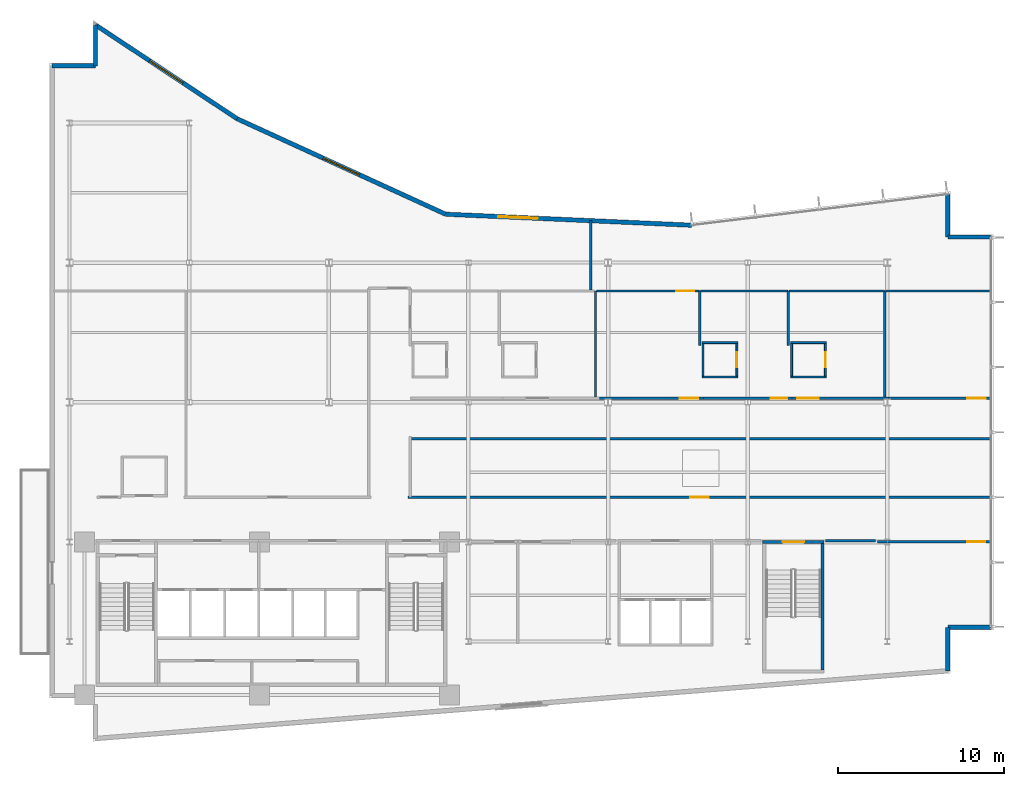
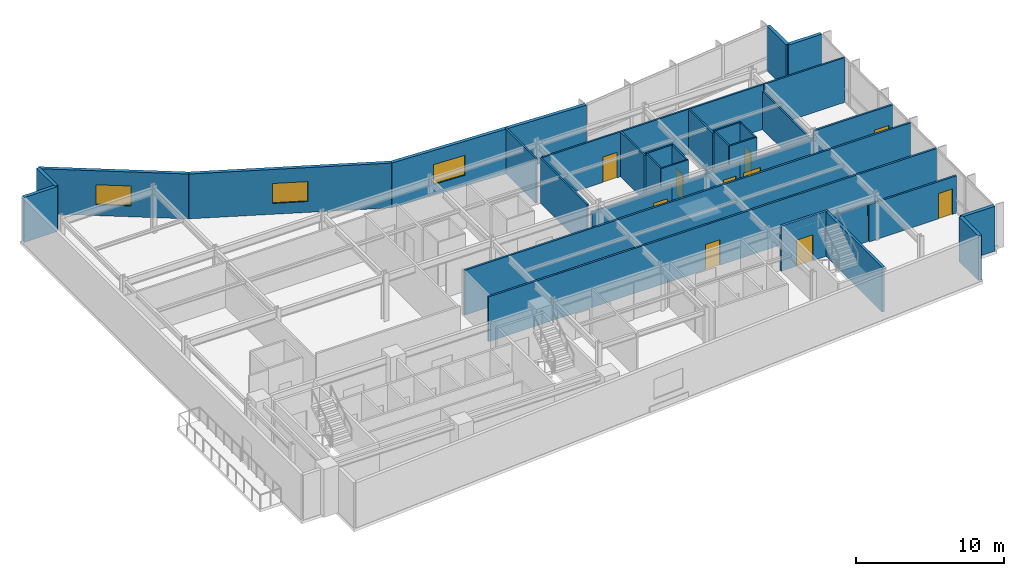
# One storey, part 12 of 18: 36 walls, 10 doors, 3 windows, 13 openings.
"""IFC4 building model written with IfcOpenShell, lengths in metres."""

from ifc_helpers import new_model, si_unit, direction, frame, frame_2d, origin, place, context, subcontext, project, spatial, rectangle, extrude, material, layer, layer_set, type_object, element, fill, save


model = new_model("IFC4")

# Units and contexts
model_context = context("Model", 3, precision=1e-05, world=origin(), true_north=direction((0.0, 1.0)))
body_context = subcontext(model_context, "Body", "Model", "MODEL_VIEW")
ifc_project = project(units=[si_unit("LENGTHUNIT", "METRE"), si_unit("AREAUNIT", "SQUARE_METRE"), si_unit("VOLUMEUNIT", "CUBIC_METRE"), si_unit("PLANEANGLEUNIT", "RADIAN"), si_unit("MASSUNIT", "GRAM", prefix="KILO")], contexts=[model_context])

# Site, building, storey
site_placement = place(None, origin())
site = spatial("IfcSite", under=ifc_project, at=site_placement, CompositionType="ELEMENT")
building_placement = place(site_placement, origin())
building = spatial("IfcBuilding", under=site, at=building_placement, Name="Varnakote Quay Hospital", CompositionType="ELEMENT")
storey_placement = place(building_placement, frame((0.0, 0.0, 138.89990234375)))
storey = spatial("IfcBuildingStorey", under=building, at=storey_placement, Name="L34", CompositionType="ELEMENT", Elevation=138.89990234375)

# Walls
ifc_material_1 = material(Name="Fire-rated acoustic gypsum stud wall", Category="gypsum")
ifc_layer_1 = layer(ifc_material_1, 0.159912109375)
ifc_layer_set_1 = layer_set([ifc_layer_1], Name="Fire-rated acoustic gypsum stud wall")
wall_type_1 = type_object("IfcWallType", Name="WL-COMP-160", PredefinedType="PARTITIONING", material=ifc_layer_set_1)
wall_1_placement = place(storey_placement, frame((46.689208984375, 12.080078125, 0.0), z_axis=(0.0, 0.0, 1.0), x_axis=(1.0, 0.0, 0.0)))
element("IfcWall", 1, at=wall_1_placement, inside=storey, type_object=wall_type_1, Name="L34 Corridor South Gap Wall", PredefinedType="PARTITIONING", context=body_context, shape_type="SweptSolid", body=[
    extrude(rectangle(XDim=3.0107421875, YDim=0.159912109375, at=frame_2d((1.50537109375, 0.0))), origin(), (0.0, 0.0, 1.0), 3.0830078125),
])
ifc_material_2 = material(Name="Moisture-resistant bathroom partition", Category="gypsum")
ifc_layer_2 = layer(ifc_material_2, 0.114990234375)
ifc_layer_set_2 = layer_set([ifc_layer_2], Name="Moisture-resistant bathroom partition")
wall_type_2 = type_object("IfcWallType", Name="WL-ENS-115", PredefinedType="PARTITIONING", material=ifc_layer_set_2)
for number, where, z_axis, x_axis, name in (
    (2, (39.2548828125, 21.922607421875, 0.0), (0.0, 0.0, 1.0), (1.0, 0.0, 0.0), "L34 Inpatient En-Suite Bathroom 03 S Wall"),
    (3, (39.2548828125, 23.987548828125, 0.0), (0.0, 0.0, 1.0), (1.0, 0.0, 0.0), "L34 Inpatient En-Suite Bathroom 03 N Wall"),
):
    element("IfcWall", number, at=place(storey_placement, frame(where, z_axis=z_axis, x_axis=x_axis)), inside=storey, type_object=wall_type_2, Name=name, PredefinedType="PARTITIONING", context=body_context, shape_type="SweptSolid", body=[
        extrude(rectangle(XDim=2.150146484375, YDim=0.114990234375, at=frame_2d((1.0751953125, 0.0))), origin(), (0.0, 0.0, 1.0), 3.710205078125),
    ])
wall_2_placement = place(storey_placement, frame((39.3125, 21.97998046875, 0.0), z_axis=(0.0, 0.0, 1.0), x_axis=(0.0, 1.0, 0.0)))
element("IfcWall", 4, at=wall_2_placement, inside=storey, type_object=wall_type_2, Name="L34 Inpatient En-Suite Bathroom 03 W Wall", PredefinedType="PARTITIONING", context=body_context, shape_type="SweptSolid", body=[
    extrude(rectangle(XDim=1.949951171875, YDim=0.114990234375, at=frame_2d((0.97509765625, 0.0))), origin(), (0.0, 0.0, 1.0), 3.710205078125),
])

# Wall, opening, door
wall_3_placement = place(storey_placement, frame((41.347412109375, 21.97998046875, 0.0), z_axis=(0.0, 0.0, 1.0), x_axis=(0.0, 1.0, 0.0)))
wall_3 = element("IfcWall", 5, at=wall_3_placement, inside=storey, type_object=wall_type_2, Name="L34 Inpatient En-Suite Bathroom 03 E Wall", PredefinedType="PARTITIONING", context=body_context, shape_type="SweptSolid", body=[
    extrude(rectangle(XDim=1.949951171875, YDim=0.114990234375, at=frame_2d((0.97509765625, 0.0))), origin(), (0.0, 0.0, 1.0), 3.710205078125),
])
opening_1_placement = place(wall_3_placement, frame((0.514892578125, 0.0, 0.0)))
opening_1 = element("IfcOpeningElement", 6, at=opening_1_placement, cuts=wall_3, Name="Opening D-L34-ENS03", PredefinedType="OPENING", context=body_context, shape_type="SweptSolid", body=[
    extrude(rectangle(XDim=0.919921875, YDim=2.10009765625, at=frame_2d((0.4599609375, 1.050048828125))), frame((0.0, 0.0673828125, 0.0), z_axis=(0.0, -1.0, 0.0), x_axis=(1.0, 0.0, 0.0)), (0.0, 0.0, 1.0), 0.135009765625),
])
ifc_material_3 = material(Name="Moisture-sealed en-suite bathroom door")
door_type_1 = type_object("IfcDoorType", Name="DR-ENS-920x2100", OperationType="NOTDEFINED", PredefinedType="DOOR", material=ifc_material_3)
door_1_placement = place(opening_1_placement, origin())
door_1 = element("IfcDoor", 7, at=door_1_placement, inside=storey, type_object=door_type_1, Name="L34 Inpatient En-Suite Bathroom 03 Door", OperationType="SINGLE_SWING_RIGHT", OverallHeight=2.10009765625, OverallWidth=0.919921875, PredefinedType="DOOR", context=body_context, shape_type="SweptSolid", body=[
    extrude(rectangle(XDim=0.919921875, YDim=2.10009765625, at=frame_2d((0.4599609375, 1.050048828125))), frame((0.0, 0.02490234375, 0.0), z_axis=(0.0, -1.0, 0.0), x_axis=(1.0, 0.0, 0.0)), (0.0, 0.0, 1.0), 0.050048828125),
])
fill(opening_1, door_1)

# Walls
for number, where, z_axis, x_axis, name in (
    (8, (44.5849609375, 21.922607421875, 0.0), (0.0, 0.0, 1.0), (1.0, 0.0, 0.0), "L34 Inpatient En-Suite Bathroom 04 S Wall"),
    (9, (44.5849609375, 23.987548828125, 0.0), (0.0, 0.0, 1.0), (1.0, 0.0, 0.0), "L34 Inpatient En-Suite Bathroom 04 N Wall"),
):
    element("IfcWall", number, at=place(storey_placement, frame(where, z_axis=z_axis, x_axis=x_axis)), inside=storey, type_object=wall_type_2, Name=name, PredefinedType="PARTITIONING", context=body_context, shape_type="SweptSolid", body=[
        extrude(rectangle(XDim=2.150146484375, YDim=0.114990234375, at=frame_2d((1.0751953125, 0.0))), origin(), (0.0, 0.0, 1.0), 3.710205078125),
    ])
wall_4_placement = place(storey_placement, frame((44.642578125, 21.97998046875, 0.0), z_axis=(0.0, 0.0, 1.0), x_axis=(0.0, 1.0, 0.0)))
element("IfcWall", 10, at=wall_4_placement, inside=storey, type_object=wall_type_2, Name="L34 Inpatient En-Suite Bathroom 04 W Wall", PredefinedType="PARTITIONING", context=body_context, shape_type="SweptSolid", body=[
    extrude(rectangle(XDim=1.949951171875, YDim=0.114990234375, at=frame_2d((0.97509765625, 0.0))), origin(), (0.0, 0.0, 1.0), 3.710205078125),
])

# Wall, opening, door
wall_5_placement = place(storey_placement, frame((46.677490234375, 21.97998046875, 0.0), z_axis=(0.0, 0.0, 1.0), x_axis=(0.0, 1.0, 0.0)))
wall_5 = element("IfcWall", 11, at=wall_5_placement, inside=storey, type_object=wall_type_2, Name="L34 Inpatient En-Suite Bathroom 04 E Wall", PredefinedType="PARTITIONING", context=body_context, shape_type="SweptSolid", body=[
    extrude(rectangle(XDim=1.949951171875, YDim=0.114990234375, at=frame_2d((0.97509765625, 0.0))), origin(), (0.0, 0.0, 1.0), 3.710205078125),
])
opening_2_placement = place(wall_5_placement, frame((0.514892578125, 0.0, 0.0)))
opening_2 = element("IfcOpeningElement", 12, at=opening_2_placement, cuts=wall_5, Name="Opening D-L34-ENS04", PredefinedType="OPENING", context=body_context, shape_type="SweptSolid", body=[
    extrude(rectangle(XDim=0.919921875, YDim=2.10009765625, at=frame_2d((0.4599609375, 1.050048828125))), frame((0.0, 0.0673828125, 0.0), z_axis=(0.0, -1.0, 0.0), x_axis=(1.0, 0.0, 0.0)), (0.0, 0.0, 1.0), 0.135009765625),
])
door_2_placement = place(opening_2_placement, origin())
door_2 = element("IfcDoor", 13, at=door_2_placement, inside=storey, type_object=door_type_1, Name="L34 Inpatient En-Suite Bathroom 04 Door", OperationType="SINGLE_SWING_LEFT", OverallHeight=2.10009765625, OverallWidth=0.919921875, PredefinedType="DOOR", context=body_context, shape_type="SweptSolid", body=[
    extrude(rectangle(XDim=0.919921875, YDim=2.10009765625, at=frame_2d((0.4599609375, 1.050048828125))), frame((0.0, 0.02490234375, 0.0), z_axis=(0.0, -1.0, 0.0), x_axis=(1.0, 0.0, 0.0)), (0.0, 0.0, 1.0), 0.050048828125),
])
fill(opening_2, door_2)

# Walls
ifc_material_4 = material(Name="Precast concrete N50 (f'c 50 MPa)", Category="concrete")
ifc_layer_3 = layer(ifc_material_4, 0.260009765625)
ifc_layer_set_3 = layer_set([ifc_layer_3], Name="Precast concrete N50 (f'c 50 MPa)")
wall_type_3 = type_object("IfcWallType", Name="WL-EXT-BRICK-260", PredefinedType="STANDARD", material=ifc_layer_set_3)
wall_6_placement = place(storey_placement, frame((54.0400390625, 4.247802734375, 0.0), z_axis=(0.0, 0.0, 1.0), x_axis=(0.0, 1.0, 0.0)))
element("IfcWall", 14, at=wall_6_placement, inside=storey, type_object=wall_type_3, Name="L34 Brick-Faced Precast Exterior Wall", PredefinedType="STANDARD", context=body_context, shape_type="SweptSolid", body=[
    extrude(rectangle(XDim=2.6123046875, YDim=0.260009765625, at=frame_2d((1.30615234375, 0.0))), origin(), (0.0, 0.0, 1.0), 3.710205078125),
])
for number, where, z_axis, x_axis, name in (
    (15, (54.0400390625, 6.860107421875, 0.0), (0.0, 0.0, 1.0), (1.0, 0.0, 0.0), "L34 Brick-Faced Precast Exterior Wall"),
    (16, (56.639892578125, 30.340087890625, 0.0), (0.0, 0.0, 1.0), (-1.0, 0.0, 0.0), "L34 Brick-Faced Precast Exterior Wall"),
):
    element("IfcWall", number, at=place(storey_placement, frame(where, z_axis=z_axis, x_axis=x_axis)), inside=storey, type_object=wall_type_3, Name=name, PredefinedType="STANDARD", context=body_context, shape_type="SweptSolid", body=[
        extrude(rectangle(XDim=2.599853515625, YDim=0.260009765625, at=frame_2d((1.2998046875, 0.0))), origin(), (0.0, 0.0, 1.0), 3.710205078125),
    ])
wall_7_placement = place(storey_placement, frame((54.0400390625, 30.340087890625, 0.0), z_axis=(0.0, 0.0, 1.0), x_axis=(0.0, 1.0, 0.0)))
element("IfcWall", 17, at=wall_7_placement, inside=storey, type_object=wall_type_3, Name="L34 Brick-Faced Precast Exterior Wall", PredefinedType="STANDARD", context=body_context, shape_type="SweptSolid", body=[
    extrude(rectangle(XDim=2.579345703125, YDim=0.260009765625, at=frame_2d((1.28955078125, 0.0))), origin(), (0.0, 0.0, 1.0), 3.710205078125),
])

# Wall, opening, window
wall_8_placement = place(storey_placement, frame((38.630126953125, 31.051513671875, 0.0), z_axis=(0.0, 0.0, 1.0), x_axis=(-0.998996592956, 0.044786239663, 0.0)))
wall_8 = element("IfcWall", 18, at=wall_8_placement, inside=storey, type_object=wall_type_3, Name="L34 Brick-Faced Precast Exterior Wall", PredefinedType="STANDARD", context=body_context, shape_type="SweptSolid", body=[
    extrude(rectangle(XDim=14.827392578125, YDim=0.260009765625, at=frame_2d((7.41357421875, 0.0))), origin(), (0.0, 0.0, 1.0), 3.710205078125),
])
opening_3_placement = place(wall_8_placement, frame((9.26171875, 0.0, 0.89990234375)))
opening_3 = element("IfcOpeningElement", 19, at=opening_3_placement, cuts=wall_8, Name="Opening WN-0147", PredefinedType="OPENING", context=body_context, shape_type="SweptSolid", body=[
    extrude(rectangle(XDim=2.39990234375, YDim=1.64990234375, at=frame_2d((1.199951171875, 0.824951171875))), frame((0.0, 0.139892578125, 0.0), z_axis=(0.0, -1.0, 0.0), x_axis=(1.0, 0.0, 0.0)), (0.0, 0.0, 1.0), 0.280029296875),
])
ifc_material_5 = material(Name="Double-glazed low-E solar glass", Category="glass")
window_type = type_object("IfcWindowType", Name="WIN-CLIN-2400x1650", PartitioningType="SINGLE_PANEL", PredefinedType="WINDOW", material=ifc_material_5)
window_1_placement = place(opening_3_placement, origin())
window_1 = element("IfcWindow", 20, at=window_1_placement, inside=storey, type_object=window_type, Name="L34 Solar-Control Clinical Window", OverallHeight=1.64990234375, OverallWidth=2.39990234375, PartitioningType="SINGLE_PANEL", PredefinedType="WINDOW", context=body_context, shape_type="SweptSolid", body=[
    extrude(rectangle(XDim=2.39990234375, YDim=1.64990234375, at=frame_2d((1.199951171875, 0.824951171875))), frame((0.0, 0.030029296875, 0.0), z_axis=(0.0, -1.0, 0.0), x_axis=(1.0, 0.0, 0.0)), (0.0, 0.0, 1.0), 0.06005859375),
])
fill(opening_3, window_1)

wall_9_placement = place(storey_placement, frame((23.817626953125, 31.715576171875, 0.0), z_axis=(0.0, 0.0, 1.0), x_axis=(-0.909209527513, 0.416338846471, 0.0)))
wall_9 = element("IfcWall", 21, at=wall_9_placement, inside=storey, type_object=wall_type_3, Name="L34 Brick-Faced Precast Exterior Wall", PredefinedType="STANDARD", context=body_context, shape_type="SweptSolid", body=[
    extrude(rectangle(XDim=13.787353515625, YDim=0.260009765625, at=frame_2d((6.8935546875, 0.0))), origin(), (0.0, 0.0, 1.0), 3.710205078125),
])
opening_4_placement = place(wall_9_placement, frame((5.693603515625, 0.0, 0.89990234375)))
opening_4 = element("IfcOpeningElement", 22, at=opening_4_placement, cuts=wall_9, Name="Opening WN-0148", PredefinedType="OPENING", context=body_context, shape_type="SweptSolid", body=[
    extrude(rectangle(XDim=2.39990234375, YDim=1.64990234375, at=frame_2d((1.199951171875, 0.824951171875))), frame((0.0, 0.139892578125, 0.0), z_axis=(0.0, -1.0, 0.0), x_axis=(1.0, 0.0, 0.0)), (0.0, 0.0, 1.0), 0.280029296875),
])
window_2_placement = place(opening_4_placement, origin())
window_2 = element("IfcWindow", 23, at=window_2_placement, inside=storey, type_object=window_type, Name="L34 Solar-Control Clinical Window", OverallHeight=1.64990234375, OverallWidth=2.39990234375, PartitioningType="SINGLE_PANEL", PredefinedType="WINDOW", context=body_context, shape_type="SweptSolid", body=[
    extrude(rectangle(XDim=2.39990234375, YDim=1.64990234375, at=frame_2d((1.199951171875, 0.824951171875))), frame((0.0, 0.030029296875, 0.0), z_axis=(0.0, -1.0, 0.0), x_axis=(1.0, 0.0, 0.0)), (0.0, 0.0, 1.0), 0.06005859375),
])
fill(opening_4, window_2)

wall_10_placement = place(storey_placement, frame((11.281982421875, 37.455810546875, 0.0), z_axis=(0.0, 0.0, 1.0), x_axis=(-0.833630474253, 0.552322580017, 0.0)))
wall_10 = element("IfcWall", 24, at=wall_10_placement, inside=storey, type_object=wall_type_3, Name="L34 Brick-Faced Precast Exterior Wall", PredefinedType="STANDARD", context=body_context, shape_type="SweptSolid", body=[
    extrude(rectangle(XDim=10.22265625, YDim=0.260009765625, at=frame_2d((5.111328125, 0.0))), origin(), (0.0, 0.0, 1.0), 3.710205078125),
])
opening_5_placement = place(wall_10_placement, frame((3.911376953125, 0.0, 0.89990234375)))
opening_5 = element("IfcOpeningElement", 25, at=opening_5_placement, cuts=wall_10, Name="Opening WN-0149", PredefinedType="OPENING", context=body_context, shape_type="SweptSolid", body=[
    extrude(rectangle(XDim=2.39990234375, YDim=1.64990234375, at=frame_2d((1.199951171875, 0.824951171875))), frame((0.0, 0.139892578125, 0.0), z_axis=(0.0, -1.0, 0.0), x_axis=(1.0, 0.0, 0.0)), (0.0, 0.0, 1.0), 0.280029296875),
])
window_3_placement = place(opening_5_placement, origin())
window_3 = element("IfcWindow", 26, at=window_3_placement, inside=storey, type_object=window_type, Name="L34 Solar-Control Clinical Window", OverallHeight=1.64990234375, OverallWidth=2.39990234375, PartitioningType="SINGLE_PANEL", PredefinedType="WINDOW", context=body_context, shape_type="SweptSolid", body=[
    extrude(rectangle(XDim=2.39990234375, YDim=1.64990234375, at=frame_2d((1.199951171875, 0.824951171875))), frame((0.0, 0.030029296875, 0.0), z_axis=(0.0, -1.0, 0.0), x_axis=(1.0, 0.0, 0.0)), (0.0, 0.0, 1.0), 0.06005859375),
])
fill(opening_5, window_3)

# Walls
wall_11_placement = place(storey_placement, frame((2.760009765625, 43.10205078125, 0.0), z_axis=(0.0, 0.0, 1.0), x_axis=(0.0, -1.0, 0.0)))
element("IfcWall", 27, at=wall_11_placement, inside=storey, type_object=wall_type_3, Name="L34 Brick-Faced Precast Exterior Wall", PredefinedType="STANDARD", context=body_context, shape_type="SweptSolid", body=[
    extrude(rectangle(XDim=2.462158203125, YDim=0.260009765625, at=frame_2d((1.23095703125, 0.0))), origin(), (0.0, 0.0, 1.0), 3.710205078125),
])
wall_12_placement = place(storey_placement, frame((2.760009765625, 40.639892578125, 0.0), z_axis=(0.0, 0.0, 1.0), x_axis=(-1.0, 0.0, 0.0)))
element("IfcWall", 28, at=wall_12_placement, inside=storey, type_object=wall_type_3, Name="L34 Brick-Faced Precast Exterior Wall", PredefinedType="STANDARD", context=body_context, shape_type="SweptSolid", body=[
    extrude(rectangle(XDim=2.60009765625, YDim=0.260009765625, at=frame_2d((1.300048828125, 0.0))), origin(), (0.0, 0.0, 1.0), 3.710205078125),
])
ifc_material_6 = material(Name="Concrete N50 (f'c 50 MPa)", Category="concrete")
ifc_layer_4 = layer(ifc_material_6, 0.199951171875)
ifc_layer_set_4 = layer_set([ifc_layer_4], Name="Concrete N50 (f'c 50 MPa)")
wall_type_4 = type_object("IfcWallType", Name="WL-SHAFT-N50-200", PredefinedType="SHEAR", material=ifc_layer_set_4)
wall_13_placement = place(storey_placement, frame((46.5, 4.300048828125, 0.0), z_axis=(0.0, 0.0, 1.0), x_axis=(0.0, 1.0, 0.0)))
element("IfcWall", 29, at=wall_13_placement, inside=storey, type_object=wall_type_4, Name="L34 Stair ST3 East Shaft Wall", PredefinedType="SHEAR", context=body_context, shape_type="SweptSolid", body=[
    extrude(rectangle(XDim=7.599853515625, YDim=0.199951171875, at=frame_2d((3.7998046875, 0.0))), origin(), (0.0, 0.0, 1.0), 3.710205078125),
])

# Wall, opening, door
wall_14_placement = place(storey_placement, frame((42.89990234375, 12.0, 0.0), z_axis=(0.0, 0.0, 1.0), x_axis=(1.0, 0.0, 0.0)))
wall_14 = element("IfcWall", 30, at=wall_14_placement, inside=storey, type_object=wall_type_4, Name="L34 Stair ST3 Exit Wall", PredefinedType="SHEAR", context=body_context, shape_type="SweptSolid", body=[
    extrude(rectangle(XDim=3.7001953125, YDim=0.199951171875, at=frame_2d((1.85009765625, 0.0))), origin(), (0.0, 0.0, 1.0), 3.710205078125),
])
opening_6_placement = place(wall_14_placement, frame((1.199951171875, 0.0, 0.0)))
opening_6 = element("IfcOpeningElement", 31, at=opening_6_placement, cuts=wall_14, Name="Opening D-ST3-L34", PredefinedType="OPENING", context=body_context, shape_type="SweptSolid", body=[
    extrude(rectangle(XDim=1.300048828125, YDim=2.14990234375, at=frame_2d((0.64990234375, 1.074951171875))), frame((0.0, 0.10986328125, 0.0), z_axis=(0.0, -1.0, 0.0), x_axis=(1.0, 0.0, 0.0)), (0.0, 0.0, 1.0), 0.219970703125),
])
ifc_material_7 = material(Name="Fire-rated ceramic-glazed timber exit door", Category="wood")
door_type_2 = type_object("IfcDoorType", Name="DR-STAIR-FD60S-1300x2150", OperationType="NOTDEFINED", PredefinedType="DOOR", material=ifc_material_7)
door_3_placement = place(opening_6_placement, origin())
door_3 = element("IfcDoor", 32, at=door_3_placement, inside=storey, type_object=door_type_2, Name="L34 Stair ST3 Fire Exit Door", OperationType="SINGLE_SWING_LEFT", OverallHeight=2.14990234375, OverallWidth=1.300048828125, PredefinedType="DOOR", context=body_context, shape_type="SweptSolid", body=[
    extrude(rectangle(XDim=1.300048828125, YDim=2.14990234375, at=frame_2d((0.64990234375, 1.074951171875))), frame((0.0, 0.02490234375, 0.0), z_axis=(0.0, -1.0, 0.0), x_axis=(1.0, 0.0, 0.0)), (0.0, 0.0, 1.0), 0.050048828125),
])
fill(opening_6, door_3)

# Walls
ifc_material_8 = material(Name="Smoke-proof clinical partition", Category="gypsum")
ifc_layer_5 = layer(ifc_material_8, 0.135009765625)
ifc_layer_set_5 = layer_set([ifc_layer_5], Name="Smoke-proof clinical partition")
wall_type_5 = type_object("IfcWallType", Name="WL-SMOKE-135", PredefinedType="PARTITIONING", material=ifc_layer_set_5)
wall_15_placement = place(storey_placement, frame((32.85009765625, 20.715087890625, 0.0), z_axis=(0.0, 0.0, 1.0), x_axis=(0.0, 1.0, 0.0)))
element("IfcWall", 33, at=wall_15_placement, inside=storey, type_object=wall_type_5, Name="L34 Clinical Interior Partition", PredefinedType="PARTITIONING", context=body_context, shape_type="SweptSolid", body=[
    extrude(rectangle(XDim=6.385009765625, YDim=0.135009765625, at=frame_2d((3.1923828125, 0.0))), origin(), (0.0, 0.0, 1.0), 3.710205078125),
])
wall_16_placement = place(storey_placement, frame((39.110107421875, 23.802490234375, 0.0), z_axis=(0.0, 0.0, 1.0), x_axis=(0.0, 1.0, 0.0)))
element("IfcWall", 34, at=wall_16_placement, inside=storey, type_object=wall_type_5, Name="L34 Clinical Interior Partition", PredefinedType="PARTITIONING", context=body_context, shape_type="SweptSolid", body=[
    extrude(rectangle(XDim=3.297607421875, YDim=0.135009765625, at=frame_2d((1.64892578125, 0.0))), origin(), (0.0, 0.0, 1.0), 3.710205078125),
])

# Wall, opening, door
wall_17_placement = place(storey_placement, frame((39.110107421875, 27.10009765625, 0.0), z_axis=(0.0, 0.0, 1.0), x_axis=(-1.0, 0.0, 0.0)))
wall_17 = element("IfcWall", 35, at=wall_17_placement, inside=storey, type_object=wall_type_5, Name="L34 Clinical Interior Partition", PredefinedType="PARTITIONING", context=body_context, shape_type="SweptSolid", body=[
    extrude(rectangle(XDim=6.20263671875, YDim=0.135009765625, at=frame_2d((3.101318359375, 0.0))), origin(), (0.0, 0.0, 1.0), 3.710205078125),
])
opening_7_placement = place(wall_17_placement, frame((0.317626953125, 0.0, 0.0)))
opening_7 = element("IfcOpeningElement", 36, at=opening_7_placement, cuts=wall_17, Name="Opening D-L34-MD06", PredefinedType="OPENING", context=body_context, shape_type="SweptSolid", body=[
    extrude(rectangle(XDim=1.10009765625, YDim=2.10009765625, at=frame_2d((0.550048828125, 1.050048828125))), frame((0.0, 0.077392578125, 0.0), z_axis=(0.0, -1.0, 0.0), x_axis=(1.0, 0.0, 0.0)), (0.0, 0.0, 1.0), 0.155029296875),
])
ifc_material_9 = material(Name="Acoustic timber clinical consult door", Category="wood")
door_type_3 = type_object("IfcDoorType", Name="DR-CLIN-FD30S-1100x2100", OperationType="NOTDEFINED", PredefinedType="DOOR", material=ifc_material_9)
door_4_placement = place(opening_7_placement, origin())
door_4 = element("IfcDoor", 37, at=door_4_placement, inside=storey, type_object=door_type_3, Name="L34 Paediatric Acute Treatment Suite Door", OperationType="SINGLE_SWING_LEFT", OverallHeight=2.10009765625, OverallWidth=1.10009765625, PredefinedType="DOOR", context=body_context, shape_type="SweptSolid", body=[
    extrude(rectangle(XDim=1.10009765625, YDim=2.10009765625, at=frame_2d((0.550048828125, 1.050048828125))), frame((0.0, 0.02490234375, 0.0), z_axis=(0.0, -1.0, 0.0), x_axis=(1.0, 0.0, 0.0)), (0.0, 0.0, 1.0), 0.050048828125),
])
fill(opening_7, door_4)

# Walls
wall_18_placement = place(storey_placement, frame((44.43994140625, 23.802490234375, 0.0), z_axis=(0.0, 0.0, 1.0), x_axis=(0.0, 1.0, 0.0)))
element("IfcWall", 38, at=wall_18_placement, inside=storey, type_object=wall_type_5, Name="L34 Clinical Interior Partition", PredefinedType="PARTITIONING", context=body_context, shape_type="SweptSolid", body=[
    extrude(rectangle(XDim=3.297607421875, YDim=0.135009765625, at=frame_2d((1.64892578125, 0.0))), origin(), (0.0, 0.0, 1.0), 3.710205078125),
])
wall_19_placement = place(storey_placement, frame((44.43994140625, 27.10009765625, 0.0), z_axis=(0.0, 0.0, 1.0), x_axis=(-1.0, 0.0, 0.0)))
element("IfcWall", 39, at=wall_19_placement, inside=storey, type_object=wall_type_5, Name="L34 Clinical Interior Partition", PredefinedType="PARTITIONING", context=body_context, shape_type="SweptSolid", body=[
    extrude(rectangle(XDim=5.2724609375, YDim=0.135009765625, at=frame_2d((2.63623046875, 0.0))), origin(), (0.0, 0.0, 1.0), 3.710205078125),
])
wall_20_placement = place(storey_placement, frame((50.239990234375, 20.715087890625, 0.0), z_axis=(0.0, 0.0, 1.0), x_axis=(0.0, 1.0, 0.0)))
element("IfcWall", 40, at=wall_20_placement, inside=storey, type_object=wall_type_5, Name="L34 Clinical Interior Partition", PredefinedType="PARTITIONING", context=body_context, shape_type="SweptSolid", body=[
    extrude(rectangle(XDim=6.385009765625, YDim=0.135009765625, at=frame_2d((3.1923828125, 0.0))), origin(), (0.0, 0.0, 1.0), 3.152099609375),
])
wall_21_placement = place(storey_placement, frame((50.239990234375, 27.10009765625, 0.0), z_axis=(0.0, 0.0, 1.0), x_axis=(-1.0, 0.0, 0.0)))
element("IfcWall", 41, at=wall_21_placement, inside=storey, type_object=wall_type_5, Name="L34 Clinical Interior Partition", PredefinedType="PARTITIONING", context=body_context, shape_type="SweptSolid", body=[
    extrude(rectangle(XDim=5.742431640625, YDim=0.135009765625, at=frame_2d((2.87109375, 0.0))), origin(), (0.0, 0.0, 1.0), 3.710205078125),
])
wall_22_placement = place(storey_placement, frame((56.639892578125, 27.10009765625, 0.0), z_axis=(0.0, 0.0, 1.0), x_axis=(-1.0, 0.0, 0.0)))
element("IfcWall", 42, at=wall_22_placement, inside=storey, type_object=wall_type_5, Name="L34 Clinical Interior Partition", PredefinedType="PARTITIONING", context=body_context, shape_type="SweptSolid", body=[
    extrude(rectangle(XDim=6.34228515625, YDim=0.135009765625, at=frame_2d((3.171142578125, 0.0))), origin(), (0.0, 0.0, 1.0), 3.710205078125),
])
wall_23_placement = place(storey_placement, frame((32.56005859375, 27.157470703125, 0.0), z_axis=(0.0, 0.0, 1.0), x_axis=(0.0, 1.0, 0.0)))
element("IfcWall", 43, at=wall_23_placement, inside=storey, type_object=wall_type_5, Name="L34 Clinical Interior Partition", PredefinedType="PARTITIONING", context=body_context, shape_type="SweptSolid", body=[
    extrude(rectangle(XDim=4.166259765625, YDim=0.135009765625, at=frame_2d((2.0830078125, 0.0))), origin(), (0.0, 0.0, 1.0), 3.710205078125),
])

# Wall, opening, door
ifc_material_10 = material(Name="Fire-rated clinical gypsum partition", Category="gypsum")
ifc_layer_6 = layer(ifc_material_10, 0.14990234375)
ifc_layer_set_6 = layer_set([ifc_layer_6], Name="Fire-rated clinical gypsum partition")
wall_type_6 = type_object("IfcWallType", Name="WL-WARD-150", PredefinedType="PARTITIONING", material=ifc_layer_set_6)
wall_24_placement = place(storey_placement, frame((56.639892578125, 12.0, 0.0), z_axis=(0.0, 0.0, 1.0), x_axis=(-1.0, 0.0, 0.0)))
wall_24 = element("IfcWall", 44, at=wall_24_placement, inside=storey, type_object=wall_type_6, Name="L34 Clinical Interior Partition", PredefinedType="PARTITIONING", context=body_context, shape_type="SweptSolid", body=[
    extrude(rectangle(XDim=6.83984375, YDim=0.14990234375, at=frame_2d((3.419921875, 0.0))), origin(), (0.0, 0.0, 1.0), 3.0830078125),
])
opening_8_placement = place(wall_24_placement, frame((0.33349609375, 0.0, 0.0)))
opening_8 = element("IfcOpeningElement", 45, at=opening_8_placement, cuts=wall_24, Name="Opening D-L34-SE1", PredefinedType="OPENING", context=body_context, shape_type="SweptSolid", body=[
    extrude(rectangle(XDim=1.10009765625, YDim=2.10009765625, at=frame_2d((0.550048828125, 1.050048828125))), frame((0.0, 0.0849609375, 0.0), z_axis=(0.0, -1.0, 0.0), x_axis=(1.0, 0.0, 0.0)), (0.0, 0.0, 1.0), 0.169921875),
])
door_5_placement = place(opening_8_placement, origin())
door_5 = element("IfcDoor", 46, at=door_5_placement, inside=storey, type_object=door_type_3, Name="L34 Clinical Biomedical Engineering Office Door", OperationType="SINGLE_SWING_RIGHT", OverallHeight=2.10009765625, OverallWidth=1.10009765625, PredefinedType="DOOR", context=body_context, shape_type="SweptSolid", body=[
    extrude(rectangle(XDim=1.10009765625, YDim=2.10009765625, at=frame_2d((0.550048828125, 1.050048828125))), frame((0.0, 0.02490234375, 0.0), z_axis=(0.0, -1.0, 0.0), x_axis=(1.0, 0.0, 0.0)), (0.0, 0.0, 1.0), 0.050048828125),
])
fill(opening_8, door_5)

wall_25_placement = place(storey_placement, frame((56.639892578125, 14.679931640625, 0.0), z_axis=(0.0, 0.0, 1.0), x_axis=(-1.0, 0.0, 0.0)))
wall_25 = element("IfcWall", 47, at=wall_25_placement, inside=storey, type_object=wall_type_6, Name="L34 Clinical Interior Partition", PredefinedType="PARTITIONING", context=body_context, shape_type="SweptSolid", body=[
    extrude(rectangle(XDim=35.0859375, YDim=0.14990234375, at=frame_2d((17.54296875, 0.0))), origin(), (0.0, 0.0, 1.0), 3.710205078125),
])
opening_9_placement = place(wall_25_placement, frame((16.992919921875, 0.0, 0.0)))
opening_9 = element("IfcOpeningElement", 48, at=opening_9_placement, cuts=wall_25, Name="Opening D-L34-MD02", PredefinedType="OPENING", context=body_context, shape_type="SweptSolid", body=[
    extrude(rectangle(XDim=1.10009765625, YDim=2.10009765625, at=frame_2d((0.550048828125, 1.050048828125))), frame((0.0, 0.0849609375, 0.0), z_axis=(0.0, -1.0, 0.0), x_axis=(1.0, 0.0, 0.0)), (0.0, 0.0, 1.0), 0.169921875),
])
door_6_placement = place(opening_9_placement, origin())
door_6 = element("IfcDoor", 49, at=door_6_placement, inside=storey, type_object=door_type_3, Name="L34 Paediatric Acute Treatment Suite Door", OperationType="SINGLE_SWING_LEFT", OverallHeight=2.10009765625, OverallWidth=1.10009765625, PredefinedType="DOOR", context=body_context, shape_type="SweptSolid", body=[
    extrude(rectangle(XDim=1.10009765625, YDim=2.10009765625, at=frame_2d((0.550048828125, 1.050048828125))), frame((0.0, 0.02490234375, 0.0), z_axis=(0.0, -1.0, 0.0), x_axis=(1.0, 0.0, 0.0)), (0.0, 0.0, 1.0), 0.050048828125),
])
fill(opening_9, door_6)

# Wall
wall_26_placement = place(storey_placement, frame((21.719970703125, 18.199951171875, 0.0), z_axis=(0.0, 0.0, 1.0), x_axis=(1.0, 0.0, 0.0)))
element("IfcWall", 50, at=wall_26_placement, inside=storey, type_object=wall_type_6, Name="L34 Clinical Interior Partition", PredefinedType="PARTITIONING", context=body_context, shape_type="SweptSolid", body=[
    extrude(rectangle(XDim=34.919921875, YDim=0.14990234375, at=frame_2d((17.4599609375, 0.0))), origin(), (0.0, 0.0, 1.0), 3.710205078125),
])

# Wall, opening, door
wall_27_placement = place(storey_placement, frame((39.3359375, 20.64990234375, 0.0), z_axis=(0.0, 0.0, 1.0), x_axis=(-1.0, 0.0, 0.0)))
wall_27 = element("IfcWall", 51, at=wall_27_placement, inside=storey, type_object=wall_type_6, Name="L34 Clinical Interior Partition", PredefinedType="PARTITIONING", context=body_context, shape_type="SweptSolid", body=[
    extrude(rectangle(XDim=6.258056640625, YDim=0.14990234375, at=frame_2d((3.12890625, 0.0))), origin(), (0.0, 0.0, 1.0), 3.0830078125),
])
opening_10_placement = place(wall_27_placement, frame((0.31884765625, 0.0, 0.0)))
opening_10 = element("IfcOpeningElement", 52, at=opening_10_placement, cuts=wall_27, Name="Opening D-L34-MD03", PredefinedType="OPENING", context=body_context, shape_type="SweptSolid", body=[
    extrude(rectangle(XDim=1.10009765625, YDim=2.10009765625, at=frame_2d((0.550048828125, 1.050048828125))), frame((0.0, 0.0849609375, 0.0), z_axis=(0.0, -1.0, 0.0), x_axis=(1.0, 0.0, 0.0)), (0.0, 0.0, 1.0), 0.169921875),
])
door_7_placement = place(opening_10_placement, origin())
door_7 = element("IfcDoor", 53, at=door_7_placement, inside=storey, type_object=door_type_3, Name="L34 Child Health Consult Office Door", OperationType="SINGLE_SWING_LEFT", OverallHeight=2.10009765625, OverallWidth=1.10009765625, PredefinedType="DOOR", context=body_context, shape_type="SweptSolid", body=[
    extrude(rectangle(XDim=1.10009765625, YDim=2.10009765625, at=frame_2d((0.550048828125, 1.050048828125))), frame((0.0, 0.02490234375, 0.0), z_axis=(0.0, -1.0, 0.0), x_axis=(1.0, 0.0, 0.0)), (0.0, 0.0, 1.0), 0.050048828125),
])
fill(opening_10, door_7)

wall_28_placement = place(storey_placement, frame((44.666015625, 20.64990234375, 0.0), z_axis=(0.0, 0.0, 1.0), x_axis=(-1.0, 0.0, 0.0)))
wall_28 = element("IfcWall", 54, at=wall_28_placement, inside=storey, type_object=wall_type_6, Name="L34 Clinical Interior Partition", PredefinedType="PARTITIONING", context=body_context, shape_type="SweptSolid", body=[
    extrude(rectangle(XDim=5.328125, YDim=0.14990234375, at=frame_2d((2.6640625, 0.0))), origin(), (0.0, 0.0, 1.0), 3.0830078125),
])
opening_11_placement = place(wall_28_placement, frame((0.298583984375, 0.0, 0.0)))
opening_11 = element("IfcOpeningElement", 55, at=opening_11_placement, cuts=wall_28, Name="Opening D-L34-BR03", PredefinedType="OPENING", context=body_context, shape_type="SweptSolid", body=[
    extrude(rectangle(XDim=0.97998046875, YDim=2.10009765625, at=frame_2d((0.489990234375, 1.050048828125))), frame((0.0, 0.0849609375, 0.0), z_axis=(0.0, -1.0, 0.0), x_axis=(1.0, 0.0, 0.0)), (0.0, 0.0, 1.0), 0.169921875),
])
ifc_material_11 = material(Name="Accessible sanitary compartment door")
door_type_4 = type_object("IfcDoorType", Name="DR-WC-980x2100", OperationType="NOTDEFINED", PredefinedType="DOOR", material=ifc_material_11)
door_8_placement = place(opening_11_placement, origin())
door_8 = element("IfcDoor", 56, at=door_8_placement, inside=storey, type_object=door_type_4, Name="L34 Resident Care Bedroom 03 Door", OperationType="SINGLE_SWING_RIGHT", OverallHeight=2.10009765625, OverallWidth=0.97998046875, PredefinedType="DOOR", context=body_context, shape_type="SweptSolid", body=[
    extrude(rectangle(XDim=0.97998046875, YDim=2.10009765625, at=frame_2d((0.489990234375, 1.050048828125))), frame((0.0, 0.02490234375, 0.0), z_axis=(0.0, -1.0, 0.0), x_axis=(1.0, 0.0, 0.0)), (0.0, 0.0, 1.0), 0.050048828125),
])
fill(opening_11, door_8)

wall_29_placement = place(storey_placement, frame((50.466064453125, 20.64990234375, 0.0), z_axis=(0.0, 0.0, 1.0), x_axis=(-1.0, 0.0, 0.0)))
wall_29 = element("IfcWall", 57, at=wall_29_placement, inside=storey, type_object=wall_type_6, Name="L34 Clinical Interior Partition", PredefinedType="PARTITIONING", context=body_context, shape_type="SweptSolid", body=[
    extrude(rectangle(XDim=5.798095703125, YDim=0.14990234375, at=frame_2d((2.89892578125, 0.0))), origin(), (0.0, 0.0, 1.0), 3.0830078125),
])
opening_12_placement = place(wall_29_placement, frame((4.195556640625, 0.0, 0.0)))
opening_12 = element("IfcOpeningElement", 58, at=opening_12_placement, cuts=wall_29, Name="Opening D-L34-BR04", PredefinedType="OPENING", context=body_context, shape_type="SweptSolid", body=[
    extrude(rectangle(XDim=1.300048828125, YDim=2.14990234375, at=frame_2d((0.64990234375, 1.074951171875))), frame((0.0, 0.0849609375, 0.0), z_axis=(0.0, -1.0, 0.0), x_axis=(1.0, 0.0, 0.0)), (0.0, 0.0, 1.0), 0.169921875),
])
ifc_material_12 = material(Name="Solid-core timber clinical bed door", Category="wood")
door_type_5 = type_object("IfcDoorType", Name="DR-WARD-FD30S-1300x2150", OperationType="NOTDEFINED", PredefinedType="DOOR", material=ifc_material_12)
door_9_placement = place(opening_12_placement, origin())
door_9 = element("IfcDoor", 59, at=door_9_placement, inside=storey, type_object=door_type_5, Name="L34 Resident Care Bedroom 04 Door", OperationType="SINGLE_SWING_LEFT", OverallHeight=2.14990234375, OverallWidth=1.300048828125, PredefinedType="DOOR", context=body_context, shape_type="SweptSolid", body=[
    extrude(rectangle(XDim=1.300048828125, YDim=2.14990234375, at=frame_2d((0.64990234375, 1.074951171875))), frame((0.0, 0.02490234375, 0.0), z_axis=(0.0, -1.0, 0.0), x_axis=(1.0, 0.0, 0.0)), (0.0, 0.0, 1.0), 0.050048828125),
])
fill(opening_12, door_9)

wall_30_placement = place(storey_placement, frame((56.639892578125, 20.64990234375, 0.0), z_axis=(0.0, 0.0, 1.0), x_axis=(-1.0, 0.0, 0.0)))
wall_30 = element("IfcWall", 60, at=wall_30_placement, inside=storey, type_object=wall_type_6, Name="L34 Clinical Interior Partition", PredefinedType="PARTITIONING", context=body_context, shape_type="SweptSolid", body=[
    extrude(rectangle(XDim=6.171875, YDim=0.14990234375, at=frame_2d((3.0859375, 0.0))), origin(), (0.0, 0.0, 1.0), 3.710205078125),
])
opening_13_placement = place(wall_30_placement, frame((0.31689453125, 0.0, 0.0)))
opening_13 = element("IfcOpeningElement", 61, at=opening_13_placement, cuts=wall_30, Name="Opening D-L34-MD04", PredefinedType="OPENING", context=body_context, shape_type="SweptSolid", body=[
    extrude(rectangle(XDim=1.10009765625, YDim=2.10009765625, at=frame_2d((0.550048828125, 1.050048828125))), frame((0.0, 0.0849609375, 0.0), z_axis=(0.0, -1.0, 0.0), x_axis=(1.0, 0.0, 0.0)), (0.0, 0.0, 1.0), 0.169921875),
])
door_10_placement = place(opening_13_placement, origin())
door_10 = element("IfcDoor", 62, at=door_10_placement, inside=storey, type_object=door_type_3, Name="L34 Parent Education Teaching Room Door", OperationType="SINGLE_SWING_RIGHT", OverallHeight=2.10009765625, OverallWidth=1.10009765625, PredefinedType="DOOR", context=body_context, shape_type="SweptSolid", body=[
    extrude(rectangle(XDim=1.10009765625, YDim=2.10009765625, at=frame_2d((0.550048828125, 1.050048828125))), frame((0.0, 0.02490234375, 0.0), z_axis=(0.0, -1.0, 0.0), x_axis=(1.0, 0.0, 0.0)), (0.0, 0.0, 1.0), 0.050048828125),
])
fill(opening_13, door_10)

save(model, "model.ifc")
